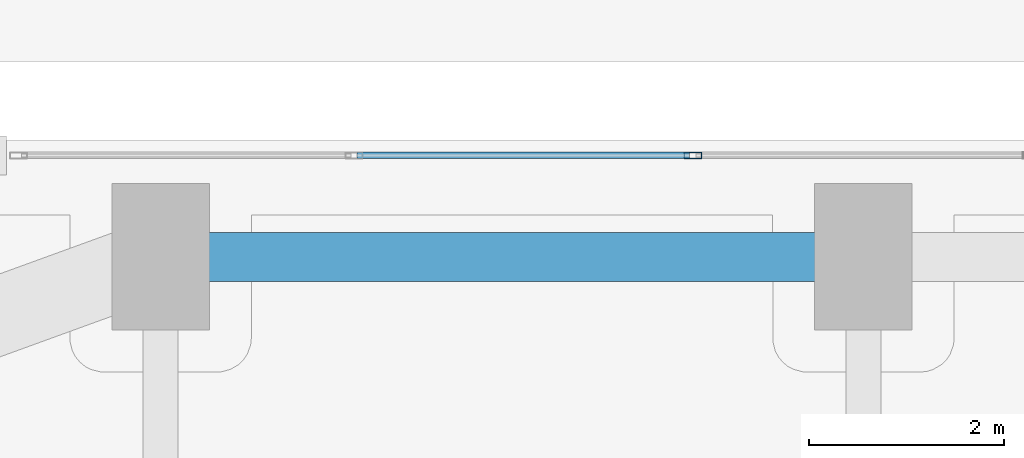
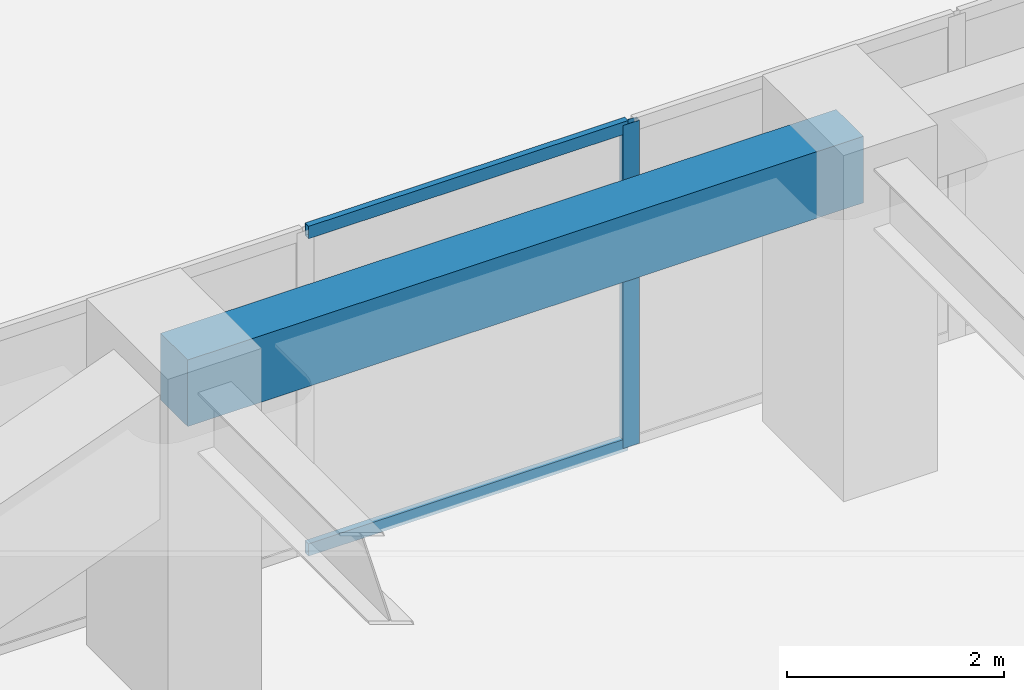
# One storey, part 9 of 38: 3 members, 1 beam, 1 element without a shape of its own.
"""IFC4 building model written with IfcOpenShell, lengths in metres."""

from ifc_helpers import new_model, si_unit, direction, frame, origin, origin_2d, place, context, subcontext, project, spatial, rectangle, hollow_rectangle, extrude, material, layer, layer_set, material_profile, profile_set, type_object, element, aggregate, save


model = new_model("IFC4")

# Units and contexts
model_context = context("Model", 3, precision=1e-05, world=origin(), true_north=direction((0.0, 1.0)))
body_context = subcontext(model_context, "Body", "Model", "MODEL_VIEW")
ifc_project = project(units=[si_unit("LENGTHUNIT", "METRE"), si_unit("AREAUNIT", "SQUARE_METRE"), si_unit("VOLUMEUNIT", "CUBIC_METRE"), si_unit("PLANEANGLEUNIT", "RADIAN"), si_unit("MASSUNIT", "GRAM", prefix="KILO")], contexts=[model_context])

# Site, building, storey
site_placement = place(None, origin())
site = spatial("IfcSite", under=ifc_project, at=site_placement, CompositionType="ELEMENT")
building_placement = place(site_placement, origin())
building = spatial("IfcBuilding", under=site, at=building_placement, Name="Kiyonajd Concourse Tower", CompositionType="ELEMENT")
storey_placement = place(building_placement, frame((0.0, 0.0, 21.60009765625)))
storey = spatial("IfcBuildingStorey", under=building, at=storey_placement, Name="L06", CompositionType="ELEMENT", Elevation=21.60009765625)

# Beam
ifc_material_1 = material(Name="Precast concrete C50/60", Category="concrete")
ifc_material_profile_1 = material_profile(ifc_material_1, rectangle(XDim=0.5, YDim=0.75, at=origin_2d()), Name="RCBM-500x750")
ifc_profile_set_1 = profile_set([ifc_material_profile_1], Name="Precast concrete C50/60")
beam_type = type_object("IfcBeamType", Name="BM-SPAN-RC", PredefinedType="SPANDREL", material=ifc_profile_set_1)
beam_placement = place(storey_placement, frame((32.39990234375, 61.199951171875, 3.264892578125), z_axis=(-1.0, 0.0, 0.0), x_axis=(0.0, -1.0, 0.0)))
element("IfcBeam", 1, at=beam_placement, inside=storey, type_object=beam_type, Name="L06 Perimeter Bundled Tube Spandrel", PredefinedType="SPANDREL", context=body_context, shape_type="SweptSolid", body=[
    extrude(rectangle(XDim=0.5, YDim=0.75, at=origin_2d()), origin(), (0.0, 0.0, 1.0), 7.199951171875),
])

# Curtain wall, members
ifc_material_2 = material(Name="Thermally Broken Anodised Aluminium", Category="aluminium")
ifc_layer = layer(ifc_material_2, 0.179931640625)
ifc_layer_set = layer_set([ifc_layer], Name="Thermally Broken Anodised Aluminium")
curtain_wall_type = type_object("IfcCurtainWallType", Name="CW-SYS-02", PredefinedType="NOTDEFINED", material=ifc_layer_set)
curtain_wall_placement = place(storey_placement, origin())
curtain_wall = element("IfcCurtainWall", 2, at=curtain_wall_placement, inside=storey, type_object=curtain_wall_type, Name="L06 Unitised Curtain Wall CW2", PredefinedType="NOTDEFINED")
ifc_material_profile_2 = material_profile(ifc_material_2, hollow_rectangle(XDim=0.06494140625, YDim=0.179931640625, WallThickness=0.00390625, at=origin_2d()), Name="MULL-65x180")
ifc_profile_set_2 = profile_set([ifc_material_profile_2], Name="Thermally Broken Anodised Aluminium")
member_type_1 = type_object("IfcMemberType", Name="MB-CW-MULL1", PredefinedType="MULLION", material=ifc_profile_set_2)
member_1_placement = place(storey_placement, frame((30.652587890625, 62.239990234375, 0.0), z_axis=(0.0, 0.0, 1.0), x_axis=(0.0, 1.0, 0.0)))
member_1 = element("IfcMember", 3, at=member_1_placement, type_object=member_type_1, Name="CW2 mullion 3", PredefinedType="MULLION", context=body_context, shape_type="SweptSolid", body=[
    extrude(hollow_rectangle(XDim=0.06494140625, YDim=0.179931640625, WallThickness=0.00390625, at=origin_2d()), origin(), (0.0, 0.0, 1.0), 3.639892578125),
])
ifc_material_profile_3 = material_profile(ifc_material_2, hollow_rectangle(XDim=0.06494140625, YDim=0.139892578125, WallThickness=0.00390625, at=origin_2d()), Name="TRAN-65x140")
ifc_profile_set_3 = profile_set([ifc_material_profile_3], Name="Thermally Broken Anodised Aluminium")
member_type_2 = type_object("IfcMemberType", Name="MB-CW-TRAN1", PredefinedType="USERDEFINED", material=ifc_profile_set_3)
member_2_placement = place(storey_placement, frame((27.21435546875, 62.239990234375, 0.032470703125), z_axis=(1.0, 0.0, 0.0), x_axis=(0.0, 1.0, 0.0)))
member_2 = element("IfcMember", 4, at=member_2_placement, type_object=member_type_2, Name="CW2 transom 2.1", ObjectType="TRANSOM", PredefinedType="USERDEFINED", context=body_context, shape_type="SweptSolid", body=[
    extrude(hollow_rectangle(XDim=0.06494140625, YDim=0.139892578125, WallThickness=0.00390625, at=origin_2d()), origin(), (0.0, 0.0, 1.0), 3.40576171875),
])
member_3_placement = place(storey_placement, frame((27.21435546875, 62.239990234375, 3.607421875), z_axis=(1.0, 0.0, 0.0), x_axis=(0.0, 1.0, 0.0)))
member_3 = element("IfcMember", 5, at=member_3_placement, type_object=member_type_2, Name="CW2 transom 2.2", ObjectType="TRANSOM", PredefinedType="USERDEFINED", context=body_context, shape_type="SweptSolid", body=[
    extrude(hollow_rectangle(XDim=0.06494140625, YDim=0.139892578125, WallThickness=0.00390625, at=origin_2d()), origin(), (0.0, 0.0, 1.0), 3.40576171875),
])
aggregate(curtain_wall, [member_1, member_2, member_3])

save(model, "model.ifc")
